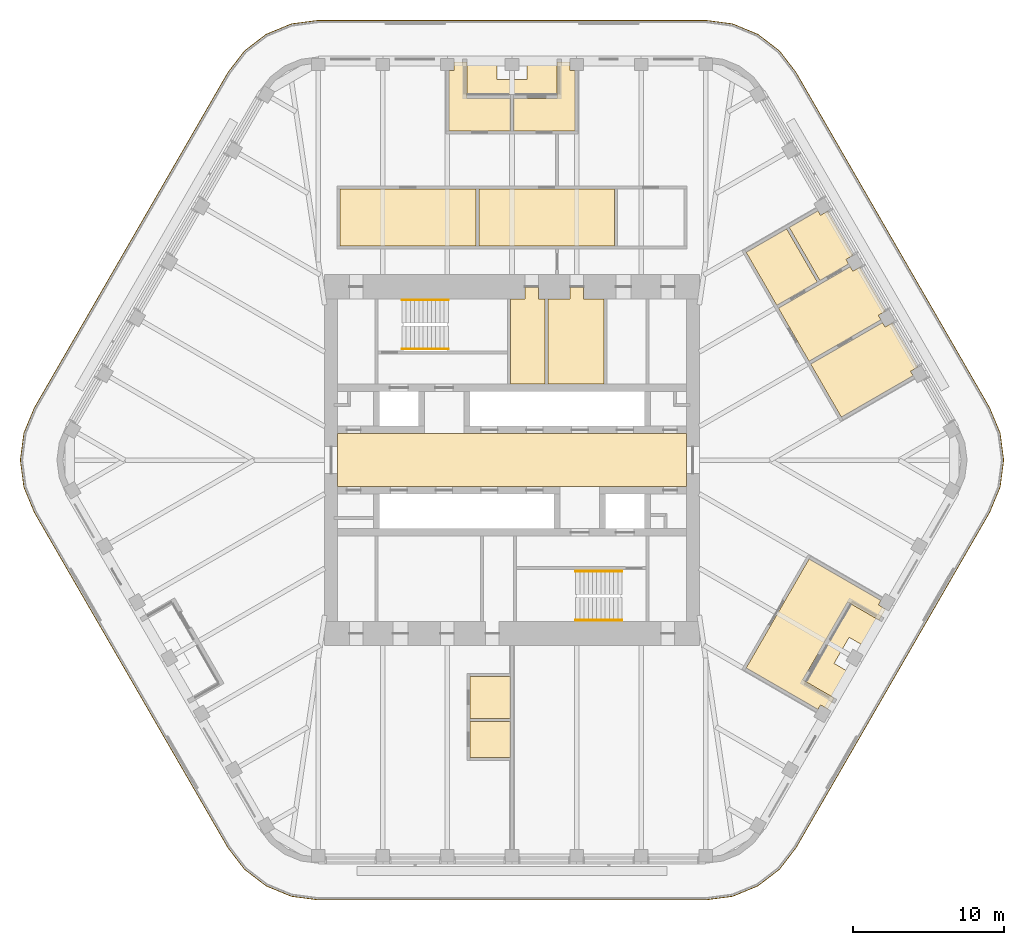
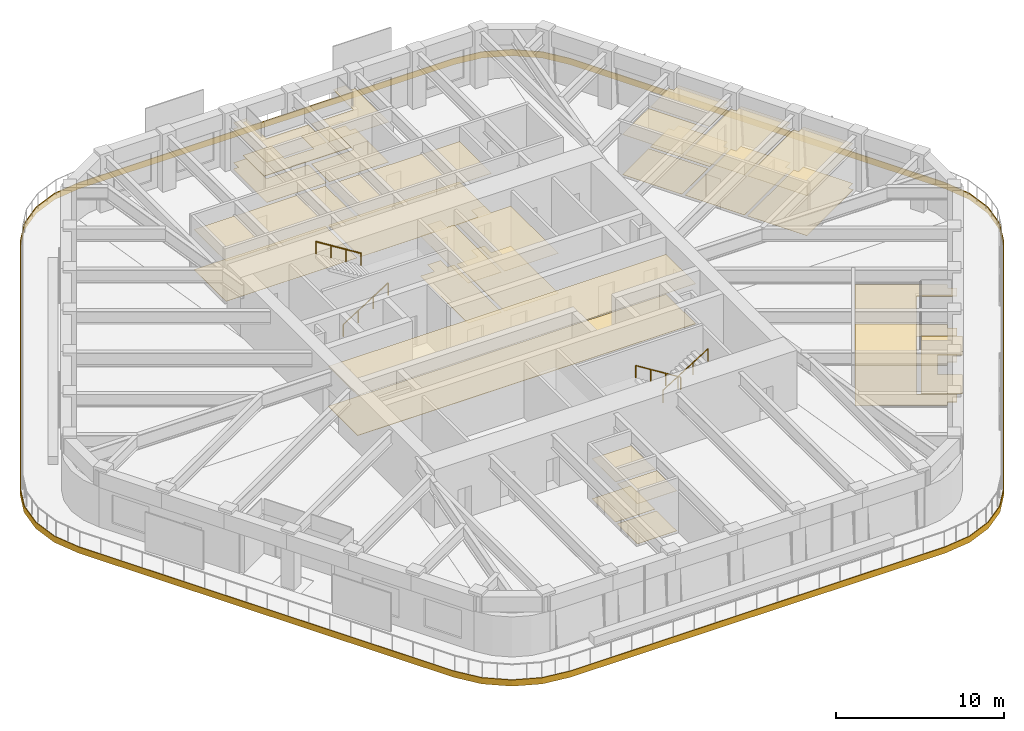
# One storey, part 18 of 19: 11 coverings, 4 railings.
"""IFC4 building model written with IfcOpenShell, lengths in metres."""

from ifc_helpers import new_model, si_unit, direction, frame, origin, origin_2d, place, context, subcontext, project, spatial, polyline, circle, outline, extrude, material, layer, layer_set, type_object, element, save


model = new_model("IFC4")

# Units and contexts
model_context = context("Model", 3, precision=1e-05, world=origin(), true_north=direction((0.0, 1.0)))
body_context = subcontext(model_context, "Body", "Model", "MODEL_VIEW")
ifc_project = project(units=[si_unit("LENGTHUNIT", "METRE"), si_unit("AREAUNIT", "SQUARE_METRE"), si_unit("VOLUMEUNIT", "CUBIC_METRE"), si_unit("PLANEANGLEUNIT", "RADIAN"), si_unit("MASSUNIT", "GRAM", prefix="KILO")], contexts=[model_context])

# Site, building, storey
site_placement = place(None, origin())
site = spatial("IfcSite", under=ifc_project, at=site_placement, CompositionType="ELEMENT")
building_placement = place(site_placement, origin())
building = spatial("IfcBuilding", under=site, at=building_placement, Name="Tarfa Lantern Tower", CompositionType="ELEMENT")
storey_placement = place(building_placement, frame((0.0, 0.0, 366.10009765625)))
storey = spatial("IfcBuildingStorey", under=building, at=storey_placement, Name="L83", CompositionType="ELEMENT", Elevation=366.10009765625)

# Coverings
ifc_material_1 = material(Name="Mineral fibre acoustic tile on suspension grid", Category="finish")
ifc_layer_1 = layer(ifc_material_1, 0.02001953125)
ifc_layer_set_1 = layer_set([ifc_layer_1], Name="CL1 ACOUSTIC TILE CEILING 20")
covering_type_1 = type_object("IfcCoveringType", Name="CL1 ACOUSTIC TILE CEILING 20", PredefinedType="CEILING", material=ifc_layer_set_1)
covering_1_placement = place(storey_placement, frame((0.0, 0.0, 2.89990234375)))
element("IfcCovering", 1, at=covering_1_placement, inside=storey, type_object=covering_type_1, Name="Ceiling L83 CL1", PredefinedType="CEILING", context=body_context, shape_type="SweptSolid", body=[
    extrude(outline(polyline([(-11.39990234375, 18.0), (-2.39990234375, 18.0), (-2.39990234375, 14.199951171875), (-11.39990234375, 14.199951171875), (-11.39990234375, 18.0)])), origin(), (0.0, 0.0, 1.0), 0.02001953125),
    extrude(outline(polyline([(4.18212890625, 21.85009765625), (0.10009765625, 21.85009765625), (0.10009765625, 24.0), (2.98193359375, 24.0), (2.98193359375, 26.39990234375), (3.83203125, 26.39990234375), (3.83203125, 25.85009765625), (4.18212890625, 25.85009765625), (4.18212890625, 21.85009765625)])), origin(), (0.0, 0.0, 1.0), 0.02001953125),
    extrude(outline(polyline([(-2.98193359375, 24.0), (-0.10009765625, 24.0), (-0.10009765625, 21.85009765625), (-4.18212890625, 21.85009765625), (-4.18212890625, 25.85009765625), (-3.83203125, 25.85009765625), (-3.83203125, 26.39990234375), (-2.98193359375, 26.39990234375), (-2.98193359375, 24.0)])), origin(), (0.0, 0.0, 1.0), 0.02001953125),
    extrude(outline(polyline([(17.673583984375, 10.08837890625), (22.436767578125, 12.83837890625), (22.61181640625, 12.535400390625), (23.088134765625, 12.810302734375), (24.779052734375, 9.88134765625), (24.302734375, 9.6064453125), (24.477783203125, 9.30322265625), (19.714599609375, 6.55322265625), (17.673583984375, 10.08837890625)])), origin(), (0.0, 0.0, 1.0), 0.02001953125),
    extrude(outline(polyline([(18.390380859375, 15.44677734375), (20.295654296875, 16.546630859375), (20.470703125, 16.24365234375), (20.947021484375, 16.5185546875), (22.63818359375, 13.589599609375), (22.161865234375, 13.314697265625), (22.336669921875, 13.01171875), (20.431396484375, 11.91162109375), (18.390380859375, 15.44677734375)])), origin(), (0.0, 0.0, 1.0), 0.02001953125),
    extrude(outline(polyline([(19.714599609375, -6.55322265625), (24.477783203125, -9.30322265625), (24.302734375, -9.6064453125), (24.779052734375, -9.88134765625), (24.35400390625, -10.617431640625), (22.275634765625, -9.41748046875), (19.293701171875, -14.58251953125), (21.3720703125, -15.782470703125), (20.947021484375, -16.5185546875), (20.470703125, -16.24365234375), (20.295654296875, -16.546630859375), (15.53271484375, -13.796630859375), (19.714599609375, -6.55322265625)])), origin(), (0.0, 0.0, 1.0), 0.02001953125),
    extrude(outline(polyline([(-2.800048828125, -17.142578125), (-2.800048828125, -14.342529296875), (-0.10009765625, -14.342529296875), (-0.10009765625, -17.142578125), (-2.800048828125, -17.142578125)])), origin(), (0.0, 0.0, 1.0), 0.02001953125),
    extrude(outline(polyline([(-2.800048828125, -19.742431640625), (-2.800048828125, -17.342529296875), (-0.10009765625, -17.342529296875), (-0.10009765625, -19.742431640625), (-2.800048828125, -19.742431640625)])), origin(), (0.0, 0.0, 1.0), 0.02001953125),
    extrude(outline(polyline([(-2.199951171875, 18.0), (6.800048828125, 18.0), (6.800048828125, 14.199951171875), (-2.199951171875, 14.199951171875), (-2.199951171875, 18.0)])), origin(), (0.0, 0.0, 1.0), 0.02001953125),
    extrude(outline(polyline([(19.814697265625, 6.380126953125), (24.577880859375, 9.130126953125), (24.752685546875, 8.826904296875), (25.22900390625, 9.10205078125), (26.920166015625, 6.173095703125), (26.44384765625, 5.89794921875), (26.61865234375, 5.594970703125), (21.855712890625, 2.844970703125), (19.814697265625, 6.380126953125)])), origin(), (0.0, 0.0, 1.0), 0.02001953125),
    extrude(outline(polyline([(15.53271484375, 13.796630859375), (18.21728515625, 15.3466796875), (20.25830078125, 11.8115234375), (17.57373046875, 10.26171875), (15.53271484375, 13.796630859375)])), origin(), (0.0, 0.0, 1.0), 0.02001953125),
])
ifc_material_2 = material(Name="Moisture-resistant plasterboard", Category="finish")
ifc_layer_2 = layer(ifc_material_2, 0.014892578125)
ifc_layer_set_2 = layer_set([ifc_layer_2], Name="CL2 MOISTURE-RESISTANT PLASTERBOARD CEILING 15")
covering_type_2 = type_object("IfcCoveringType", Name="CL2 MOISTURE-RESISTANT PLASTERBOARD CEILING 15", PredefinedType="CEILING", material=ifc_layer_set_2)
covering_2_placement = place(storey_placement, frame((0.0, 0.0, 2.89990234375)))
element("IfcCovering", 2, at=covering_2_placement, inside=storey, type_object=covering_type_2, Name="Ceiling L83-05", PredefinedType="CEILING", context=body_context, shape_type="SweptSolid", body=[
    extrude(outline(polyline([(0.85009765625, 10.699951171875), (-0.10009765625, 10.699951171875), (-0.10009765625, 5.050048828125), (2.199951171875, 5.050048828125), (2.199951171875, 10.699951171875), (1.75, 10.699951171875), (1.75, 11.5), (0.85009765625, 11.5), (0.85009765625, 10.699951171875)])), origin(), (0.0, 0.0, 1.0), 0.014892578125),
])
covering_3_placement = place(storey_placement, frame((0.0, 0.0, 2.89990234375)))
element("IfcCovering", 3, at=covering_3_placement, inside=storey, type_object=covering_type_2, Name="Ceiling L83-06", PredefinedType="CEILING", context=body_context, shape_type="SweptSolid", body=[
    extrude(outline(polyline([(2.39990234375, 5.050048828125), (6.10009765625, 5.050048828125), (6.10009765625, 10.699951171875), (4.75, 10.699951171875), (4.75, 11.5), (3.85009765625, 11.5), (3.85009765625, 10.699951171875), (2.39990234375, 10.699951171875), (2.39990234375, 5.050048828125)])), origin(), (0.0, 0.0, 1.0), 0.014892578125),
])
ifc_material_3 = material(Name="Powder-coated aluminium panel", Category="aluminium")
ifc_layer_3 = layer(ifc_material_3, 0.030029296875)
ifc_layer_set_3 = layer_set([ifc_layer_3], Name="CL3 METAL PANEL CEILING 30")
covering_type_3 = type_object("IfcCoveringType", Name="CL3 METAL PANEL CEILING 30", PredefinedType="CEILING", material=ifc_layer_set_3)
covering_4_placement = place(storey_placement, frame((0.0, 0.0, 2.89990234375)))
element("IfcCovering", 4, at=covering_4_placement, inside=storey, type_object=covering_type_3, Name="Ceiling L83-01", PredefinedType="CEILING", context=body_context, shape_type="SweptSolid", body=[
    extrude(outline(polyline([(-11.574951171875, -1.75), (11.574951171875, -1.75), (11.574951171875, 1.75), (-11.574951171875, 1.75), (-11.574951171875, -1.75)])), origin(), (0.0, 0.0, 1.0), 0.030029296875),
])
ifc_material_4 = material(Name="Nylon carpet tile", Category="finish")
ifc_layer_4 = layer(ifc_material_4, 0.010009765625)
ifc_layer_set_4 = layer_set([ifc_layer_4], Name="FL1 CARPET TILE 10")
covering_type_4 = type_object("IfcCoveringType", Name="FL1 CARPET TILE 10", PredefinedType="FLOORING", material=ifc_layer_set_4)
covering_5_placement = place(storey_placement, origin())
element("IfcCovering", 5, at=covering_5_placement, inside=storey, type_object=covering_type_4, Name="Floor finish L83 FL1", PredefinedType="FLOORING", context=body_context, shape_type="SweptSolid", body=[
    extrude(outline(polyline([(-11.39990234375, 18.0), (-2.39990234375, 18.0), (-2.39990234375, 14.199951171875), (-11.39990234375, 14.199951171875), (-11.39990234375, 18.0)])), origin(), (0.0, 0.0, 1.0), 0.010009765625),
    extrude(outline(polyline([(4.18212890625, 21.85009765625), (0.10009765625, 21.85009765625), (0.10009765625, 24.0), (2.98193359375, 24.0), (2.98193359375, 26.39990234375), (3.83203125, 26.39990234375), (3.83203125, 25.85009765625), (4.18212890625, 25.85009765625), (4.18212890625, 21.85009765625)])), origin(), (0.0, 0.0, 1.0), 0.010009765625),
    extrude(outline(polyline([(-2.98193359375, 24.0), (-0.10009765625, 24.0), (-0.10009765625, 21.85009765625), (-4.18212890625, 21.85009765625), (-4.18212890625, 25.85009765625), (-3.83203125, 25.85009765625), (-3.83203125, 26.39990234375), (-2.98193359375, 26.39990234375), (-2.98193359375, 24.0)])), origin(), (0.0, 0.0, 1.0), 0.010009765625),
    extrude(outline(polyline([(17.673583984375, 10.08837890625), (22.436767578125, 12.83837890625), (22.61181640625, 12.535400390625), (23.088134765625, 12.810302734375), (24.779052734375, 9.88134765625), (24.302734375, 9.6064453125), (24.477783203125, 9.30322265625), (19.714599609375, 6.55322265625), (17.673583984375, 10.08837890625)])), origin(), (0.0, 0.0, 1.0), 0.010009765625),
    extrude(outline(polyline([(18.390380859375, 15.44677734375), (20.295654296875, 16.546630859375), (20.470703125, 16.24365234375), (20.947021484375, 16.5185546875), (22.63818359375, 13.589599609375), (22.161865234375, 13.314697265625), (22.336669921875, 13.01171875), (20.431396484375, 11.91162109375), (18.390380859375, 15.44677734375)])), origin(), (0.0, 0.0, 1.0), 0.010009765625),
    extrude(outline(polyline([(19.714599609375, -6.55322265625), (24.477783203125, -9.30322265625), (24.302734375, -9.6064453125), (24.779052734375, -9.88134765625), (24.35400390625, -10.617431640625), (22.275634765625, -9.41748046875), (19.293701171875, -14.58251953125), (21.3720703125, -15.782470703125), (20.947021484375, -16.5185546875), (20.470703125, -16.24365234375), (20.295654296875, -16.546630859375), (15.53271484375, -13.796630859375), (19.714599609375, -6.55322265625)])), origin(), (0.0, 0.0, 1.0), 0.010009765625),
    extrude(outline(polyline([(-2.800048828125, -17.142578125), (-2.800048828125, -14.342529296875), (-0.10009765625, -14.342529296875), (-0.10009765625, -17.142578125), (-2.800048828125, -17.142578125)])), origin(), (0.0, 0.0, 1.0), 0.010009765625),
    extrude(outline(polyline([(-2.800048828125, -19.742431640625), (-2.800048828125, -17.342529296875), (-0.10009765625, -17.342529296875), (-0.10009765625, -19.742431640625), (-2.800048828125, -19.742431640625)])), origin(), (0.0, 0.0, 1.0), 0.010009765625),
    extrude(outline(polyline([(-2.199951171875, 18.0), (6.800048828125, 18.0), (6.800048828125, 14.199951171875), (-2.199951171875, 14.199951171875), (-2.199951171875, 18.0)])), origin(), (0.0, 0.0, 1.0), 0.010009765625),
    extrude(outline(polyline([(19.814697265625, 6.380126953125), (24.577880859375, 9.130126953125), (24.752685546875, 8.826904296875), (25.22900390625, 9.10205078125), (26.920166015625, 6.173095703125), (26.44384765625, 5.89794921875), (26.61865234375, 5.594970703125), (21.855712890625, 2.844970703125), (19.814697265625, 6.380126953125)])), origin(), (0.0, 0.0, 1.0), 0.010009765625),
    extrude(outline(polyline([(15.53271484375, 13.796630859375), (18.21728515625, 15.3466796875), (20.25830078125, 11.8115234375), (17.57373046875, 10.26171875), (15.53271484375, 13.796630859375)])), origin(), (0.0, 0.0, 1.0), 0.010009765625),
])
ifc_material_5 = material(Name="Honed limestone flooring", Category="masonry")
ifc_layer_5 = layer(ifc_material_5, 0.030029296875)
ifc_layer_set_5 = layer_set([ifc_layer_5], Name="FL2 STONE FLOORING 30")
covering_type_5 = type_object("IfcCoveringType", Name="FL2 STONE FLOORING 30", PredefinedType="FLOORING", material=ifc_layer_set_5)
covering_6_placement = place(storey_placement, origin())
element("IfcCovering", 6, at=covering_6_placement, inside=storey, type_object=covering_type_5, Name="Floor finish L83-01", PredefinedType="FLOORING", context=body_context, shape_type="SweptSolid", body=[
    extrude(outline(polyline([(-11.574951171875, -1.75), (11.574951171875, -1.75), (11.574951171875, 1.75), (-11.574951171875, 1.75), (-11.574951171875, -1.75)])), origin(), (0.0, 0.0, 1.0), 0.02978515625),
])
ifc_material_6 = material(Name="Porcelain floor tile", Category="finish")
ifc_layer_6 = layer(ifc_material_6, 0.011962890625)
ifc_layer_set_6 = layer_set([ifc_layer_6], Name="FL3 CERAMIC TILE 12")
covering_type_6 = type_object("IfcCoveringType", Name="FL3 CERAMIC TILE 12", PredefinedType="FLOORING", material=ifc_layer_set_6)
covering_7_placement = place(storey_placement, origin())
element("IfcCovering", 7, at=covering_7_placement, inside=storey, type_object=covering_type_6, Name="Floor finish L83-05", PredefinedType="FLOORING", context=body_context, shape_type="SweptSolid", body=[
    extrude(outline(polyline([(0.85009765625, 10.699951171875), (-0.10009765625, 10.699951171875), (-0.10009765625, 5.050048828125), (2.199951171875, 5.050048828125), (2.199951171875, 10.699951171875), (1.75, 10.699951171875), (1.75, 11.5), (0.85009765625, 11.5), (0.85009765625, 10.699951171875)])), origin(), (0.0, 0.0, 1.0), 0.011962890625),
])
covering_8_placement = place(storey_placement, origin())
element("IfcCovering", 8, at=covering_8_placement, inside=storey, type_object=covering_type_6, Name="Floor finish L83-06", PredefinedType="FLOORING", context=body_context, shape_type="SweptSolid", body=[
    extrude(outline(polyline([(2.39990234375, 5.050048828125), (6.10009765625, 5.050048828125), (6.10009765625, 10.699951171875), (4.75, 10.699951171875), (4.75, 11.5), (3.85009765625, 11.5), (3.85009765625, 10.699951171875), (2.39990234375, 10.699951171875), (2.39990234375, 5.050048828125)])), origin(), (0.0, 0.0, 1.0), 0.011962890625),
])

# Railings
ifc_material_7 = material(Name="Stainless steel", Category="steel")
railing_type = type_object("IfcRailingType", Name="HR1 HANDRAIL 900", PredefinedType="HANDRAIL", material=ifc_material_7)
railing_1_placement = place(storey_placement, frame((-7.300048828125, 7.3798828125, 0.1748046875)))
element("IfcRailing", 9, at=railing_1_placement, inside=storey, type_object=railing_type, Name="Handrail 1", PredefinedType="HANDRAIL", context=body_context, shape_type="SweptSolid", body=[
    extrude(circle(Radius=0.02392578125, at=origin_2d()), frame((0.0, 0.0, 0.8759765625), z_axis=(0.847998304005, 0.0, 0.529998940003), x_axis=(0.0, 1.0, 0.0)), (0.0, 0.0, 1.0), 3.632080078125),
    extrude(circle(Radius=0.02099609375, at=origin_2d()), frame((0.0, 0.0, 0.0), z_axis=(0.0, 0.0, 1.0), x_axis=(0.0, 1.0, 0.0)), (0.0, 0.0, 1.0), 0.851806640625),
    extrude(circle(Radius=0.02099609375, at=origin_2d()), frame((1.026611328125, 0.0, 0.6416015625), z_axis=(0.0, 0.0, 1.0), x_axis=(0.0, 1.0, 0.0)), (0.0, 0.0, 1.0), 0.851806640625),
    extrude(circle(Radius=0.02099609375, at=origin_2d()), frame((2.053466796875, 0.0, 1.283447265625), z_axis=(0.0, 0.0, 1.0), x_axis=(0.0, 1.0, 0.0)), (0.0, 0.0, 1.0), 0.851806640625),
    extrude(circle(Radius=0.02099609375, at=origin_2d()), frame((3.080078125, 0.0, 1.925048828125), z_axis=(0.0, 0.0, 1.0), x_axis=(0.0, 1.0, 0.0)), (0.0, 0.0, 1.0), 0.851806640625),
])
for number, where, name in (
    (10, (-4.219970703125, 10.6201171875, 2.27490234375), "Handrail 2"),
    (11, (7.300048828125, -7.3798828125, 0.1748046875), "Handrail 1"),
):
    element("IfcRailing", number, at=place(storey_placement, frame(where)), inside=storey, type_object=railing_type, Name=name, PredefinedType="HANDRAIL", context=body_context, shape_type="SweptSolid", body=[
        extrude(circle(Radius=0.02392578125, at=origin_2d()), frame((0.0, 0.0, 0.8759765625), z_axis=(-0.847998304005, 0.0, 0.529998940003), x_axis=(0.0, -1.0, 0.0)), (0.0, 0.0, 1.0), 3.632080078125),
        extrude(circle(Radius=0.02099609375, at=origin_2d()), frame((0.0, 0.0, 0.0), z_axis=(0.0, 0.0, 1.0), x_axis=(0.0, -1.0, 0.0)), (0.0, 0.0, 1.0), 0.851806640625),
        extrude(circle(Radius=0.02099609375, at=origin_2d()), frame((-1.026611328125, 0.0, 0.6416015625), z_axis=(0.0, 0.0, 1.0), x_axis=(0.0, -1.0, 0.0)), (0.0, 0.0, 1.0), 0.851806640625),
        extrude(circle(Radius=0.02099609375, at=origin_2d()), frame((-2.053466796875, 0.0, 1.283447265625), z_axis=(0.0, 0.0, 1.0), x_axis=(0.0, -1.0, 0.0)), (0.0, 0.0, 1.0), 0.851806640625),
        extrude(circle(Radius=0.02099609375, at=origin_2d()), frame((-3.080078125, 0.0, 1.925048828125), z_axis=(0.0, 0.0, 1.0), x_axis=(0.0, -1.0, 0.0)), (0.0, 0.0, 1.0), 0.851806640625),
    ])
railing_2_placement = place(storey_placement, frame((4.219970703125, -10.6201171875, 2.27490234375)))
element("IfcRailing", 12, at=railing_2_placement, inside=storey, type_object=railing_type, Name="Handrail 2", PredefinedType="HANDRAIL", context=body_context, shape_type="SweptSolid", body=[
    extrude(circle(Radius=0.02392578125, at=origin_2d()), frame((0.0, 0.0, 0.8759765625), z_axis=(0.847998304005, 0.0, 0.529998940003), x_axis=(0.0, 1.0, 0.0)), (0.0, 0.0, 1.0), 3.632080078125),
    extrude(circle(Radius=0.02099609375, at=origin_2d()), frame((0.0, 0.0, 0.0), z_axis=(0.0, 0.0, 1.0), x_axis=(0.0, 1.0, 0.0)), (0.0, 0.0, 1.0), 0.851806640625),
    extrude(circle(Radius=0.02099609375, at=origin_2d()), frame((1.026611328125, 0.0, 0.6416015625), z_axis=(0.0, 0.0, 1.0), x_axis=(0.0, 1.0, 0.0)), (0.0, 0.0, 1.0), 0.851806640625),
    extrude(circle(Radius=0.02099609375, at=origin_2d()), frame((2.053466796875, 0.0, 1.283447265625), z_axis=(0.0, 0.0, 1.0), x_axis=(0.0, 1.0, 0.0)), (0.0, 0.0, 1.0), 0.851806640625),
    extrude(circle(Radius=0.02099609375, at=origin_2d()), frame((3.080078125, 0.0, 1.925048828125), z_axis=(0.0, 0.0, 1.0), x_axis=(0.0, 1.0, 0.0)), (0.0, 0.0, 1.0), 0.851806640625),
])

# Coverings
ifc_material_8 = material(Name="Porcelain pavers on pedestals", Category="ceramic")
ifc_layer_7 = layer(ifc_material_8, 0.0400390625)
ifc_layer_set_7 = layer_set([ifc_layer_7], Name="LP1 LOGGIA PAVING 40")
covering_type_7 = type_object("IfcCoveringType", Name="LP1 LOGGIA PAVING 40", PredefinedType="FLOORING", material=ifc_layer_set_7)
covering_9_placement = place(storey_placement, origin())
element("IfcCovering", 13, at=covering_9_placement, inside=storey, type_object=covering_type_7, Name="Terrace paving N", PredefinedType="FLOORING", context=body_context, shape_type="SweptSolid", body=[
    extrude(outline(polyline([(2.98193359375, 26.75), (2.98193359375, 24.27001953125), (-2.98193359375, 24.27001953125), (-2.98193359375, 26.75), (-1.0, 26.75), (-1.0, 25.25), (1.0, 25.25), (1.0, 26.75), (2.98193359375, 26.75)])), origin(), (0.0, 0.0, 1.0), 0.039794921875),
])
covering_10_placement = place(storey_placement, origin())
element("IfcCovering", 14, at=covering_10_placement, inside=storey, type_object=covering_type_7, Name="Terrace paving SE", PredefinedType="FLOORING", context=body_context, shape_type="SweptSolid", body=[
    extrude(outline(polyline([(21.67529296875, -15.95751953125), (19.52734375, -14.717529296875), (22.509521484375, -9.552490234375), (24.6572265625, -10.79248046875), (23.666259765625, -12.509033203125), (22.3671875, -11.759033203125), (21.3671875, -13.490966796875), (22.666259765625, -14.240966796875), (21.67529296875, -15.95751953125)])), origin(), (0.0, 0.0, 1.0), 0.039794921875),
])
ifc_material_9 = material(Name="Limestone cladding on brackets", Category="masonry")
ifc_layer_8 = layer(ifc_material_9, 0.050048828125)
ifc_layer_set_8 = layer_set([ifc_layer_8], Name="SB1 STONE BAND CLADDING 50")
covering_type_8 = type_object("IfcCoveringType", Name="SB1 STONE BAND CLADDING 50", PredefinedType="CLADDING", material=ifc_layer_set_8)
covering_11_placement = place(storey_placement, frame((0.0, 0.0, -0.400146484375)))
element("IfcCovering", 15, at=covering_11_placement, inside=storey, type_object=covering_type_8, Name="Stone band", PredefinedType="CLADDING", context=body_context, shape_type="SweptSolid", body=[
    extrude(outline(polyline([(31.7109375, 3.47509765625), (18.864990234375, 25.72509765625), (17.760498046875, 27.164306640625), (16.321044921875, 28.268798828125), (14.644775390625, 28.963134765625), (12.845947265625, 29.199951171875), (-12.845947265625, 29.199951171875), (-14.644775390625, 28.963134765625), (-16.321044921875, 28.268798828125), (-17.760498046875, 27.164306640625), (-18.864990234375, 25.72509765625), (-31.7109375, 3.47509765625), (-32.4052734375, 1.798828125), (-32.64208984375, 0.0), (-32.4052734375, -1.798828125), (-31.7109375, -3.47509765625), (-18.864990234375, -25.72509765625), (-17.760498046875, -27.164306640625), (-16.321044921875, -28.268798828125), (-14.644775390625, -28.963134765625), (-12.845947265625, -29.199951171875), (12.845947265625, -29.199951171875), (14.644775390625, -28.963134765625), (16.321044921875, -28.268798828125), (17.760498046875, -27.164306640625), (18.864990234375, -25.72509765625), (31.7109375, -3.47509765625), (32.4052734375, -1.798828125), (32.64208984375, 0.0), (32.4052734375, 1.798828125), (31.7109375, 3.47509765625)]), holes=[polyline([(31.667724609375, 3.449951171875), (18.821533203125, 25.699951171875), (17.72509765625, 27.129150390625), (16.296142578125, 28.2255859375), (14.6318359375, 28.914794921875), (12.845947265625, 29.14990234375), (-12.845947265625, 29.14990234375), (-14.6318359375, 28.914794921875), (-16.296142578125, 28.2255859375), (-17.72509765625, 27.129150390625), (-18.821533203125, 25.699951171875), (-31.667724609375, 3.449951171875), (-32.35693359375, 1.785888671875), (-32.592041015625, 0.0), (-32.35693359375, -1.785888671875), (-31.667724609375, -3.449951171875), (-18.821533203125, -25.699951171875), (-17.72509765625, -27.129150390625), (-16.296142578125, -28.2255859375), (-14.6318359375, -28.914794921875), (-12.845947265625, -29.14990234375), (12.845947265625, -29.14990234375), (14.6318359375, -28.914794921875), (16.296142578125, -28.2255859375), (17.72509765625, -27.129150390625), (18.821533203125, -25.699951171875), (31.667724609375, -3.449951171875), (32.35693359375, -1.785888671875), (32.592041015625, 0.0), (32.35693359375, 1.785888671875), (31.667724609375, 3.449951171875)])]), origin(), (0.0, 0.0, 1.0), 0.449951171875),
])

save(model, "model.ifc")
